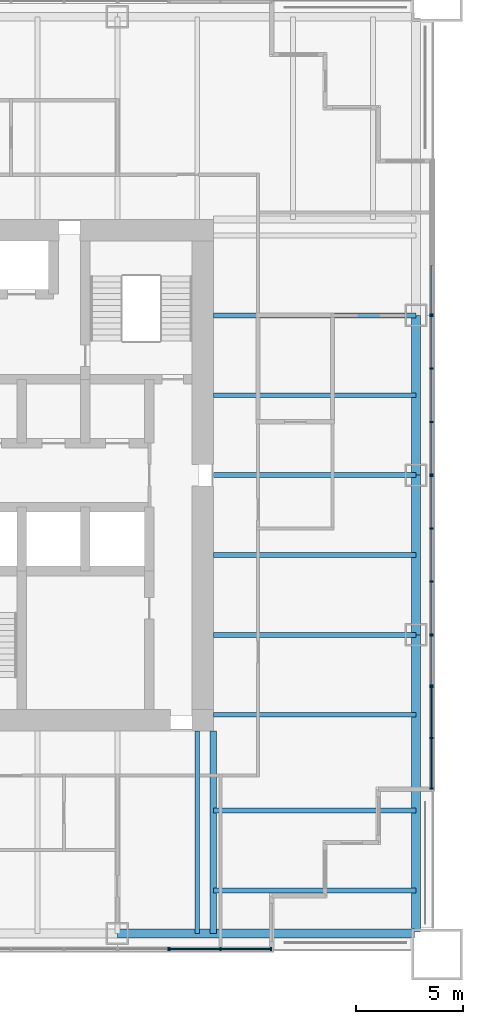
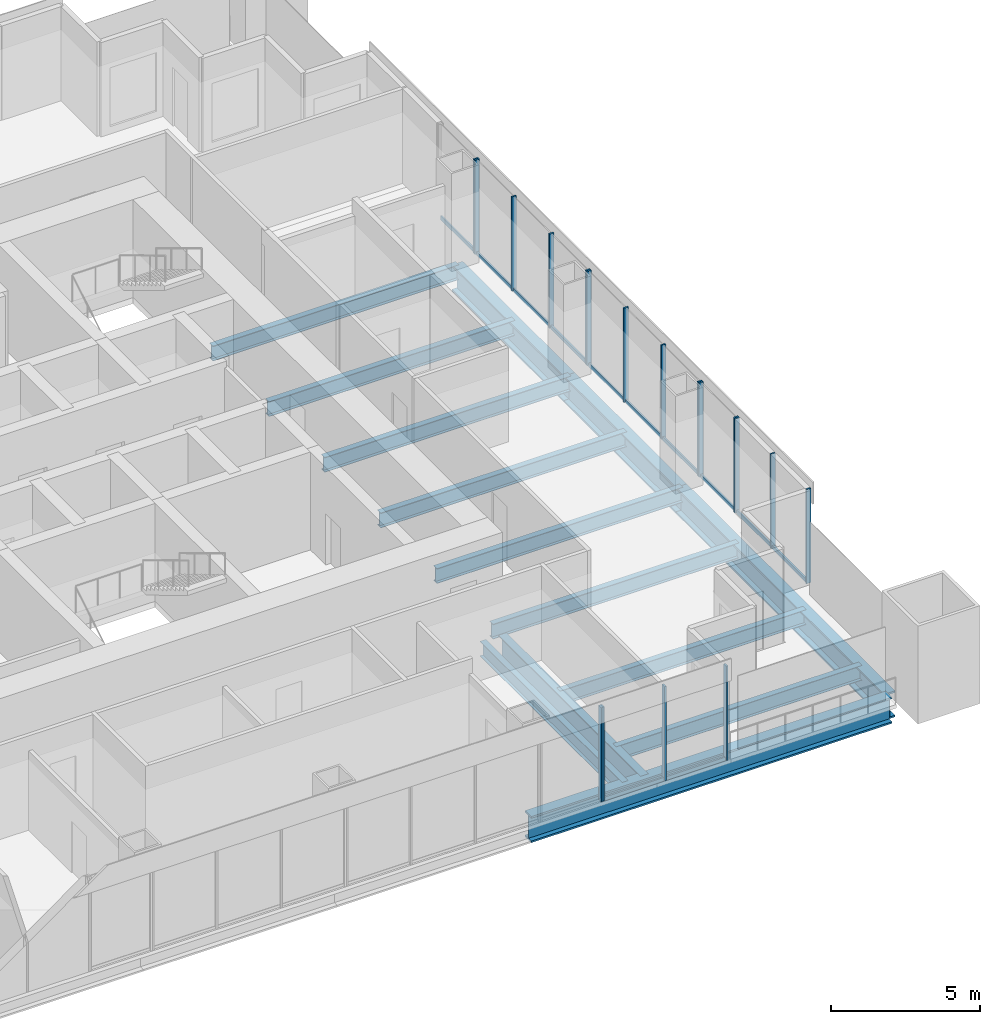
# One storey, part 4 of 13: 30 members, 14 beams, 7 elements without a shape of their own.
"""IFC4 building model written with IfcOpenShell, lengths in metres."""

from ifc_helpers import new_model, si_unit, direction, frame, origin, origin_2d, place, context, subcontext, project, spatial, rectangle, i_section, extrude, material, material_profile, profile_set, type_object, element, aggregate, save


model = new_model("IFC4")

# Units and contexts
model_context = context("Model", 3, precision=1e-05, world=origin(), true_north=direction((0.0, 1.0)))
body_context = subcontext(model_context, "Body", "Model", "MODEL_VIEW")
ifc_project = project(units=[si_unit("LENGTHUNIT", "METRE"), si_unit("AREAUNIT", "SQUARE_METRE"), si_unit("VOLUMEUNIT", "CUBIC_METRE"), si_unit("PLANEANGLEUNIT", "RADIAN"), si_unit("MASSUNIT", "GRAM", prefix="KILO")], contexts=[model_context])

# Site, building, storey
site_placement = place(None, origin())
site = spatial("IfcSite", under=ifc_project, at=site_placement, CompositionType="ELEMENT")
building_placement = place(site_placement, origin())
building = spatial("IfcBuilding", under=site, at=building_placement, Name="Tarangal Relay Tower", CompositionType="ELEMENT")
storey_placement = place(building_placement, frame((0.0, 0.0, 205.89990234375)))
storey = spatial("IfcBuildingStorey", under=building, at=storey_placement, Name="L43", CompositionType="ELEMENT", Elevation=205.89990234375)

# Beams
ifc_material_1 = material(Name="Steel ASTM A992", Category="steel")
ifc_material_profile_1 = material_profile(ifc_material_1, i_section(OverallWidth=0.227783203125, OverallDepth=0.60205078125, WebThickness=0.010498046875, FlangeThickness=0.014892578125, at=origin_2d()), Name="W24X68")
ifc_profile_set_1 = profile_set([ifc_material_profile_1], Name="Steel ASTM A992")
beam_type_1 = type_object("IfcBeamType", Name="Corner beam W24X68", PredefinedType="JOIST", material=ifc_profile_set_1)
for number, where, z_axis, x_axis, name in (
    (1, (12.0, -15.75, -0.450927734375), (1.0, 0.0, 0.0), (0.0, 1.0, 0.0), "Corner beam CB11 E L43"),
    (2, (12.0, -19.5, -0.450927734375), (1.0, 0.0, 0.0), (0.0, 1.0, 0.0), "Corner beam CB11 E L43"),
):
    element("IfcBeam", number, at=place(storey_placement, frame(where, z_axis=z_axis, x_axis=x_axis)), inside=storey, type_object=beam_type_1, Name=name, PredefinedType="JOIST", context=body_context, shape_type="SweptSolid", body=[
        extrude(i_section(OverallWidth=0.227783203125, OverallDepth=0.60205078125, WebThickness=0.010498046875, FlangeThickness=0.014892578125, at=origin_2d()), origin(), (0.0, 0.0, 1.0), 9.514892578125),
    ])
ifc_material_profile_2 = material_profile(ifc_material_1, i_section(OverallWidth=0.307373046875, OverallDepth=0.9423828125, WebThickness=0.022216796875, FlangeThickness=0.039794921875, at=origin_2d()), Name="W36X232")
ifc_profile_set_2 = profile_set([ifc_material_profile_2], Name="Steel ASTM A992")
beam_type_2 = type_object("IfcBeamType", Name="Corner girder W36X232", PredefinedType="BEAM", material=ifc_profile_set_2)
beam_placement = place(storey_placement, frame((12.0, -12.0, -0.62109375), z_axis=(0.0, -1.0, 0.0), x_axis=(1.0, 0.0, 0.0)))
element("IfcBeam", 3, at=beam_placement, inside=storey, type_object=beam_type_2, Name="Corner girder CG4 E L43", PredefinedType="BEAM", context=body_context, shape_type="SweptSolid", body=[
    extrude(i_section(OverallWidth=0.307373046875, OverallDepth=0.9423828125, WebThickness=0.022216796875, FlangeThickness=0.039794921875, at=origin_2d()), origin(), (0.0, 0.0, 1.0), 9.514892578125),
])
ifc_material_profile_3 = material_profile(ifc_material_1, i_section(OverallWidth=0.41650390625, OverallDepth=1.0693359375, WebThickness=0.0390625, FlangeThickness=0.070068359375, at=origin_2d()), Name="W40X503")
ifc_profile_set_3 = profile_set([ifc_material_profile_3], Name="Steel ASTM A992")
beam_type_3 = type_object("IfcBeamType", Name="Edge girder W40X503", PredefinedType="SPANDREL", material=ifc_profile_set_3)
for number, where, z_axis, x_axis, name in (
    (4, (21.514892578125, 7.5, -0.6845703125), (0.0, -1.0, 0.0), (1.0, 0.0, 0.0), "Edge girder EG8 E L43"),
    (5, (21.514892578125, 0.0, -0.6845703125), (0.0, -1.0, 0.0), (1.0, 0.0, 0.0), "Edge girder EG8 E L43"),
):
    element("IfcBeam", number, at=place(storey_placement, frame(where, z_axis=z_axis, x_axis=x_axis)), inside=storey, type_object=beam_type_3, Name=name, PredefinedType="SPANDREL", context=body_context, shape_type="SweptSolid", body=[
        extrude(i_section(OverallWidth=0.41650390625, OverallDepth=1.0693359375, WebThickness=0.0390625, FlangeThickness=0.070068359375, at=origin_2d()), origin(), (0.0, 0.0, 1.0), 7.5),
    ])
for number, where, z_axis, x_axis, name in (
    (6, (21.514892578125, -7.5, -0.6845703125), (0.0, -1.0, 0.0), (1.0, 0.0, 0.0), "Edge girder EG8 E L43"),
    (7, (21.449951171875, -21.514892578125, -0.6845703125), (-1.0, 0.0, 0.0), (0.0, -1.0, 0.0), "Edge girder EG8 S L43"),
):
    element("IfcBeam", number, at=place(storey_placement, frame(where, z_axis=z_axis, x_axis=x_axis)), inside=storey, type_object=beam_type_3, Name=name, PredefinedType="SPANDREL", context=body_context, shape_type="SweptSolid", body=[
        extrude(i_section(OverallWidth=0.41650390625, OverallDepth=1.0693359375, WebThickness=0.0390625, FlangeThickness=0.070068359375, at=origin_2d()), origin(), (0.0, 0.0, 1.0), 13.949951171875),
    ])
ifc_material_profile_4 = material_profile(ifc_material_1, i_section(OverallWidth=0.22900390625, OverallDepth=0.612060546875, WebThickness=0.011962890625, FlangeThickness=0.01953125, at=origin_2d()), Name="W24X84")
ifc_profile_set_4 = profile_set([ifc_material_profile_4], Name="Steel ASTM A992")
beam_type_4 = type_object("IfcBeamType", Name="Floor beam W24X84", PredefinedType="BEAM", material=ifc_profile_set_4)
for number, where, z_axis, x_axis, name in (
    (8, (12.0, 7.5, -0.455810546875), (1.0, 0.0, 0.0), (0.0, 1.0, 0.0), "Floor beam RB12 E L43"),
    (9, (12.0, 3.75, -0.455810546875), (1.0, 0.0, 0.0), (0.0, 1.0, 0.0), "Floor beam RB12 E L43"),
    (10, (12.0, 0.0, -0.455810546875), (1.0, 0.0, 0.0), (0.0, 1.0, 0.0), "Floor beam RB12 E L43"),
    (11, (12.0, -3.75, -0.455810546875), (1.0, 0.0, 0.0), (0.0, 1.0, 0.0), "Floor beam RB12 E L43"),
    (12, (12.0, -7.5, -0.455810546875), (1.0, 0.0, 0.0), (0.0, 1.0, 0.0), "Floor beam RB12 E L43"),
    (13, (12.0, -11.25, -0.455810546875), (1.0, 0.0, 0.0), (0.0, 1.0, 0.0), "Floor beam RB12 E L43"),
    (14, (11.25, -12.0, -0.455810546875), (0.0, -1.0, 0.0), (1.0, 0.0, 0.0), "Floor beam RB12 S L43"),
):
    element("IfcBeam", number, at=place(storey_placement, frame(where, z_axis=z_axis, x_axis=x_axis)), inside=storey, type_object=beam_type_4, Name=name, PredefinedType="BEAM", context=body_context, shape_type="SweptSolid", body=[
        extrude(i_section(OverallWidth=0.22900390625, OverallDepth=0.612060546875, WebThickness=0.011962890625, FlangeThickness=0.01953125, at=origin_2d()), origin(), (0.0, 0.0, 1.0), 9.514892578125),
    ])

# Curtain wall, member
ifc_material_2 = material(Name="Unitised curtain wall, dark glass and black aluminium", Category="aluminium")
curtain_wall_type_1 = type_object("IfcCurtainWallType", Name="Curtain wall CW-A", PredefinedType="USERDEFINED", material=ifc_material_2)
curtain_wall_1_placement = place(storey_placement, origin())
curtain_wall_1 = element("IfcCurtainWall", 15, at=curtain_wall_1_placement, inside=storey, type_object=curtain_wall_type_1, Name="Curtain wall CW-A E facade L43", ObjectType="UNITISED CURTAIN WALL", PredefinedType="USERDEFINED")
ifc_material_3 = material(Name="Black anodised aluminium mullion", Category="aluminium")
ifc_material_profile_5 = material_profile(ifc_material_3, rectangle(XDim=0.175048828125, YDim=0.06494140625, at=origin_2d()), Name="CW-AM 65X175")
ifc_profile_set_5 = profile_set([ifc_material_profile_5], Name="Black anodised aluminium mullion")
member_type_1 = type_object("IfcMemberType", Name="Mullion CW-A 65 x 175", PredefinedType="MULLION", material=ifc_profile_set_5)
member_1_placement = place(storey_placement, frame((22.25, 7.532470703125, 0.0), z_axis=(0.0, 0.0, 1.0), x_axis=(1.0, 0.0, 0.0)))
member_1 = element("IfcMember", 16, at=member_1_placement, type_object=member_type_1, Name="CW-A mullion 2", PredefinedType="MULLION", context=body_context, shape_type="SweptSolid", body=[
    extrude(rectangle(XDim=0.175048828125, YDim=0.06494140625, at=origin_2d()), origin(), (0.0, 0.0, 1.0), 3.85009765625),
])

# Curtain wall, members
curtain_wall_2_placement = place(storey_placement, origin())
curtain_wall_2 = element("IfcCurtainWall", 17, at=curtain_wall_2_placement, inside=storey, type_object=curtain_wall_type_1, Name="Curtain wall CW-A E facade L43", ObjectType="UNITISED CURTAIN WALL", PredefinedType="USERDEFINED")
member_2_placement = place(storey_placement, frame((22.25, 7.467529296875, 0.0), z_axis=(0.0, 0.0, 1.0), x_axis=(1.0, 0.0, 0.0)))
member_2 = element("IfcMember", 18, at=member_2_placement, type_object=member_type_1, Name="CW-A mullion 1", PredefinedType="MULLION", context=body_context, shape_type="SweptSolid", body=[
    extrude(rectangle(XDim=0.175048828125, YDim=0.06494140625, at=origin_2d()), origin(), (0.0, 0.0, 1.0), 3.85009765625),
])
member_3_placement = place(storey_placement, frame((22.25, 5.0, 0.0), z_axis=(0.0, 0.0, 1.0), x_axis=(1.0, 0.0, 0.0)))
member_3 = element("IfcMember", 19, at=member_3_placement, type_object=member_type_1, Name="CW-A mullion 2", PredefinedType="MULLION", context=body_context, shape_type="SweptSolid", body=[
    extrude(rectangle(XDim=0.175048828125, YDim=0.06494140625, at=origin_2d()), origin(), (0.0, 0.0, 1.0), 3.85009765625),
])
member_4_placement = place(storey_placement, frame((22.25, 2.5, 0.0), z_axis=(0.0, 0.0, 1.0), x_axis=(1.0, 0.0, 0.0)))
member_4 = element("IfcMember", 20, at=member_4_placement, type_object=member_type_1, Name="CW-A mullion 3", PredefinedType="MULLION", context=body_context, shape_type="SweptSolid", body=[
    extrude(rectangle(XDim=0.175048828125, YDim=0.06494140625, at=origin_2d()), origin(), (0.0, 0.0, 1.0), 3.85009765625),
])
member_5_placement = place(storey_placement, frame((22.25, 0.032470703125, 0.0), z_axis=(0.0, 0.0, 1.0), x_axis=(1.0, 0.0, 0.0)))
member_5 = element("IfcMember", 21, at=member_5_placement, type_object=member_type_1, Name="CW-A mullion 4", PredefinedType="MULLION", context=body_context, shape_type="SweptSolid", body=[
    extrude(rectangle(XDim=0.175048828125, YDim=0.06494140625, at=origin_2d()), origin(), (0.0, 0.0, 1.0), 3.85009765625),
])

curtain_wall_3_placement = place(storey_placement, origin())
curtain_wall_3 = element("IfcCurtainWall", 22, at=curtain_wall_3_placement, inside=storey, type_object=curtain_wall_type_1, Name="Curtain wall CW-A E facade L43", ObjectType="UNITISED CURTAIN WALL", PredefinedType="USERDEFINED")
member_6_placement = place(storey_placement, frame((22.25, -0.032470703125, 0.0), z_axis=(0.0, 0.0, 1.0), x_axis=(1.0, 0.0, 0.0)))
member_6 = element("IfcMember", 23, at=member_6_placement, type_object=member_type_1, Name="CW-A mullion 1", PredefinedType="MULLION", context=body_context, shape_type="SweptSolid", body=[
    extrude(rectangle(XDim=0.175048828125, YDim=0.06494140625, at=origin_2d()), origin(), (0.0, 0.0, 1.0), 3.85009765625),
])
member_7_placement = place(storey_placement, frame((22.25, -2.5, 0.0), z_axis=(0.0, 0.0, 1.0), x_axis=(1.0, 0.0, 0.0)))
member_7 = element("IfcMember", 24, at=member_7_placement, type_object=member_type_1, Name="CW-A mullion 2", PredefinedType="MULLION", context=body_context, shape_type="SweptSolid", body=[
    extrude(rectangle(XDim=0.175048828125, YDim=0.06494140625, at=origin_2d()), origin(), (0.0, 0.0, 1.0), 3.85009765625),
])
member_8_placement = place(storey_placement, frame((22.25, -5.0, 0.0), z_axis=(0.0, 0.0, 1.0), x_axis=(1.0, 0.0, 0.0)))
member_8 = element("IfcMember", 25, at=member_8_placement, type_object=member_type_1, Name="CW-A mullion 3", PredefinedType="MULLION", context=body_context, shape_type="SweptSolid", body=[
    extrude(rectangle(XDim=0.175048828125, YDim=0.06494140625, at=origin_2d()), origin(), (0.0, 0.0, 1.0), 3.85009765625),
])
member_9_placement = place(storey_placement, frame((22.25, -7.467529296875, 0.0), z_axis=(0.0, 0.0, 1.0), x_axis=(1.0, 0.0, 0.0)))
member_9 = element("IfcMember", 26, at=member_9_placement, type_object=member_type_1, Name="CW-A mullion 4", PredefinedType="MULLION", context=body_context, shape_type="SweptSolid", body=[
    extrude(rectangle(XDim=0.175048828125, YDim=0.06494140625, at=origin_2d()), origin(), (0.0, 0.0, 1.0), 3.85009765625),
])

curtain_wall_4_placement = place(storey_placement, origin())
curtain_wall_4 = element("IfcCurtainWall", 27, at=curtain_wall_4_placement, inside=storey, type_object=curtain_wall_type_1, Name="Curtain wall CW-A E facade L43", ObjectType="UNITISED CURTAIN WALL", PredefinedType="USERDEFINED")
member_10_placement = place(storey_placement, frame((22.25, -7.532470703125, 0.0), z_axis=(0.0, 0.0, 1.0), x_axis=(1.0, 0.0, 0.0)))
member_10 = element("IfcMember", 28, at=member_10_placement, type_object=member_type_1, Name="CW-A mullion 1", PredefinedType="MULLION", context=body_context, shape_type="SweptSolid", body=[
    extrude(rectangle(XDim=0.175048828125, YDim=0.06494140625, at=origin_2d()), origin(), (0.0, 0.0, 1.0), 3.85009765625),
])
member_11_placement = place(storey_placement, frame((22.25, -9.88427734375, 0.0), z_axis=(0.0, 0.0, 1.0), x_axis=(1.0, 0.0, 0.0)))
member_11 = element("IfcMember", 29, at=member_11_placement, type_object=member_type_1, Name="CW-A mullion 2", PredefinedType="MULLION", context=body_context, shape_type="SweptSolid", body=[
    extrude(rectangle(XDim=0.175048828125, YDim=0.06494140625, at=origin_2d()), origin(), (0.0, 0.0, 1.0), 3.85009765625),
])

# Curtain wall, member
curtain_wall_5_placement = place(storey_placement, origin())
curtain_wall_5 = element("IfcCurtainWall", 30, at=curtain_wall_5_placement, inside=storey, type_object=curtain_wall_type_1, Name="Curtain wall CW-A S facade L43", ObjectType="UNITISED CURTAIN WALL", PredefinedType="USERDEFINED")
member_12_placement = place(storey_placement, frame((9.88427734375, -22.25, 0.0), z_axis=(0.0, 0.0, 1.0), x_axis=(0.0, -1.0, 0.0)))
member_12 = element("IfcMember", 31, at=member_12_placement, type_object=member_type_1, Name="CW-A mullion 1", PredefinedType="MULLION", context=body_context, shape_type="SweptSolid", body=[
    extrude(rectangle(XDim=0.175048828125, YDim=0.06494140625, at=origin_2d()), origin(), (0.0, 0.0, 1.0), 3.85009765625),
])
aggregate(curtain_wall_5, [member_12])

# Curtain wall, members
ifc_material_4 = material(Name="Unitised curtain wall frame, black aluminium, with metal clad infill walls", Category="aluminium")
curtain_wall_type_2 = type_object("IfcCurtainWallType", Name="Curtain wall CW-AO", PredefinedType="USERDEFINED", material=ifc_material_4)
curtain_wall_6_placement = place(storey_placement, origin())
curtain_wall_6 = element("IfcCurtainWall", 32, at=curtain_wall_6_placement, inside=storey, type_object=curtain_wall_type_2, Name="Curtain wall CW-AO E facade L43", ObjectType="UNITISED CURTAIN WALL", PredefinedType="USERDEFINED")
ifc_material_profile_6 = material_profile(ifc_material_3, rectangle(XDim=0.175048828125, YDim=0.06494140625, at=origin_2d()), Name="CW-AOM 65X175")
ifc_profile_set_6 = profile_set([ifc_material_profile_6], Name="Black anodised aluminium mullion")
member_type_2 = type_object("IfcMemberType", Name="Mullion CW-AO 65 x 175", PredefinedType="MULLION", material=ifc_profile_set_6)
member_13_placement = place(storey_placement, frame((22.25, -9.94921875, 0.0), z_axis=(0.0, 0.0, 1.0), x_axis=(1.0, 0.0, 0.0)))
member_13 = element("IfcMember", 33, at=member_13_placement, type_object=member_type_2, Name="CW-AO mullion 1", PredefinedType="MULLION", context=body_context, shape_type="SweptSolid", body=[
    extrude(rectangle(XDim=0.175048828125, YDim=0.06494140625, at=origin_2d()), origin(), (0.0, 0.0, 1.0), 3.85009765625),
])
member_14_placement = place(storey_placement, frame((22.25, -12.333251953125, 0.0), z_axis=(0.0, 0.0, 1.0), x_axis=(1.0, 0.0, 0.0)))
member_14 = element("IfcMember", 34, at=member_14_placement, type_object=member_type_2, Name="CW-AO mullion 2", PredefinedType="MULLION", context=body_context, shape_type="SweptSolid", body=[
    extrude(rectangle(XDim=0.175048828125, YDim=0.06494140625, at=origin_2d()), origin(), (0.0, 0.0, 1.0), 3.85009765625),
])
member_15_placement = place(storey_placement, frame((22.25, -14.717529296875, 0.0), z_axis=(0.0, 0.0, 1.0), x_axis=(1.0, 0.0, 0.0)))
member_15 = element("IfcMember", 35, at=member_15_placement, type_object=member_type_2, Name="CW-AO mullion 3", PredefinedType="MULLION", context=body_context, shape_type="SweptSolid", body=[
    extrude(rectangle(XDim=0.175048828125, YDim=0.06494140625, at=origin_2d()), origin(), (0.0, 0.0, 1.0), 3.85009765625),
])

curtain_wall_7_placement = place(storey_placement, origin())
curtain_wall_7 = element("IfcCurtainWall", 36, at=curtain_wall_7_placement, inside=storey, type_object=curtain_wall_type_2, Name="Curtain wall CW-AO S facade L43", ObjectType="UNITISED CURTAIN WALL", PredefinedType="USERDEFINED")
member_16_placement = place(storey_placement, frame((14.717529296875, -22.25, 0.0), z_axis=(0.0, 0.0, 1.0), x_axis=(0.0, -1.0, 0.0)))
member_16 = element("IfcMember", 37, at=member_16_placement, type_object=member_type_2, Name="CW-AO mullion 1", PredefinedType="MULLION", context=body_context, shape_type="SweptSolid", body=[
    extrude(rectangle(XDim=0.175048828125, YDim=0.06494140625, at=origin_2d()), origin(), (0.0, 0.0, 1.0), 3.85009765625),
])
member_17_placement = place(storey_placement, frame((12.333251953125, -22.25, 0.0), z_axis=(0.0, 0.0, 1.0), x_axis=(0.0, -1.0, 0.0)))
member_17 = element("IfcMember", 38, at=member_17_placement, type_object=member_type_2, Name="CW-AO mullion 2", PredefinedType="MULLION", context=body_context, shape_type="SweptSolid", body=[
    extrude(rectangle(XDim=0.175048828125, YDim=0.06494140625, at=origin_2d()), origin(), (0.0, 0.0, 1.0), 3.85009765625),
])
member_18_placement = place(storey_placement, frame((9.94921875, -22.25, 0.0), z_axis=(0.0, 0.0, 1.0), x_axis=(0.0, -1.0, 0.0)))
member_18 = element("IfcMember", 39, at=member_18_placement, type_object=member_type_2, Name="CW-AO mullion 3", PredefinedType="MULLION", context=body_context, shape_type="SweptSolid", body=[
    extrude(rectangle(XDim=0.175048828125, YDim=0.06494140625, at=origin_2d()), origin(), (0.0, 0.0, 1.0), 3.85009765625),
])

# Member
ifc_material_5 = material(Name="Black anodised aluminium transom", Category="aluminium")
ifc_material_profile_7 = material_profile(ifc_material_5, rectangle(XDim=0.06494140625, YDim=0.14990234375, at=origin_2d()), Name="CW-AT 65X150")
ifc_profile_set_7 = profile_set([ifc_material_profile_7], Name="Black anodised aluminium transom")
member_type_3 = type_object("IfcMemberType", Name="Transom CW-A 65 x 150", PredefinedType="USERDEFINED", material=ifc_profile_set_7)
member_19_placement = place(storey_placement, frame((22.25, 9.851806640625, 0.03271484375), z_axis=(0.0, -1.0, 0.0), x_axis=(1.0, 0.0, 0.0)))
member_19 = element("IfcMember", 40, at=member_19_placement, type_object=member_type_3, Name="CW-A transom 1.1", ObjectType="TRANSOM", PredefinedType="USERDEFINED", context=body_context, shape_type="SweptSolid", body=[
    extrude(rectangle(XDim=0.06494140625, YDim=0.14990234375, at=origin_2d()), origin(), (0.0, 0.0, 1.0), 2.286865234375),
])

aggregate(curtain_wall_1, [member_1, member_19])

member_20_placement = place(storey_placement, frame((22.25, 7.43505859375, 0.03271484375), z_axis=(0.0, -1.0, 0.0), x_axis=(1.0, 0.0, 0.0)))
member_20 = element("IfcMember", 41, at=member_20_placement, type_object=member_type_3, Name="CW-A transom 1.1", ObjectType="TRANSOM", PredefinedType="USERDEFINED", context=body_context, shape_type="SweptSolid", body=[
    extrude(rectangle(XDim=0.06494140625, YDim=0.14990234375, at=origin_2d()), origin(), (0.0, 0.0, 1.0), 2.402587890625),
])

member_21_placement = place(storey_placement, frame((22.25, 4.967529296875, 0.03271484375), z_axis=(0.0, -1.0, 0.0), x_axis=(1.0, 0.0, 0.0)))
member_21 = element("IfcMember", 42, at=member_21_placement, type_object=member_type_3, Name="CW-A transom 2.1", ObjectType="TRANSOM", PredefinedType="USERDEFINED", context=body_context, shape_type="SweptSolid", body=[
    extrude(rectangle(XDim=0.06494140625, YDim=0.14990234375, at=origin_2d()), origin(), (0.0, 0.0, 1.0), 2.43505859375),
])

member_22_placement = place(storey_placement, frame((22.25, 2.467529296875, 0.03271484375), z_axis=(0.0, -1.0, 0.0), x_axis=(1.0, 0.0, 0.0)))
member_22 = element("IfcMember", 43, at=member_22_placement, type_object=member_type_3, Name="CW-A transom 3.1", ObjectType="TRANSOM", PredefinedType="USERDEFINED", context=body_context, shape_type="SweptSolid", body=[
    extrude(rectangle(XDim=0.06494140625, YDim=0.14990234375, at=origin_2d()), origin(), (0.0, 0.0, 1.0), 2.402587890625),
])

aggregate(curtain_wall_2, [member_2, member_3, member_4, member_5, member_20, member_21, member_22])

member_23_placement = place(storey_placement, frame((22.25, -0.06494140625, 0.03271484375), z_axis=(0.0, -1.0, 0.0), x_axis=(1.0, 0.0, 0.0)))
member_23 = element("IfcMember", 44, at=member_23_placement, type_object=member_type_3, Name="CW-A transom 1.1", ObjectType="TRANSOM", PredefinedType="USERDEFINED", context=body_context, shape_type="SweptSolid", body=[
    extrude(rectangle(XDim=0.06494140625, YDim=0.14990234375, at=origin_2d()), origin(), (0.0, 0.0, 1.0), 2.402587890625),
])

member_24_placement = place(storey_placement, frame((22.25, -2.532470703125, 0.03271484375), z_axis=(0.0, -1.0, 0.0), x_axis=(1.0, 0.0, 0.0)))
member_24 = element("IfcMember", 45, at=member_24_placement, type_object=member_type_3, Name="CW-A transom 2.1", ObjectType="TRANSOM", PredefinedType="USERDEFINED", context=body_context, shape_type="SweptSolid", body=[
    extrude(rectangle(XDim=0.06494140625, YDim=0.14990234375, at=origin_2d()), origin(), (0.0, 0.0, 1.0), 2.43505859375),
])

member_25_placement = place(storey_placement, frame((22.25, -5.032470703125, 0.03271484375), z_axis=(0.0, -1.0, 0.0), x_axis=(1.0, 0.0, 0.0)))
member_25 = element("IfcMember", 46, at=member_25_placement, type_object=member_type_3, Name="CW-A transom 3.1", ObjectType="TRANSOM", PredefinedType="USERDEFINED", context=body_context, shape_type="SweptSolid", body=[
    extrude(rectangle(XDim=0.06494140625, YDim=0.14990234375, at=origin_2d()), origin(), (0.0, 0.0, 1.0), 2.402587890625),
])

aggregate(curtain_wall_3, [member_6, member_7, member_8, member_9, member_23, member_24, member_25])

member_26_placement = place(storey_placement, frame((22.25, -7.56494140625, 0.03271484375), z_axis=(0.0, -1.0, 0.0), x_axis=(1.0, 0.0, 0.0)))
member_26 = element("IfcMember", 47, at=member_26_placement, type_object=member_type_3, Name="CW-A transom 1.1", ObjectType="TRANSOM", PredefinedType="USERDEFINED", context=body_context, shape_type="SweptSolid", body=[
    extrude(rectangle(XDim=0.06494140625, YDim=0.14990234375, at=origin_2d()), origin(), (0.0, 0.0, 1.0), 2.286865234375),
])

aggregate(curtain_wall_4, [member_10, member_11, member_26])

ifc_material_profile_8 = material_profile(ifc_material_5, rectangle(XDim=0.06494140625, YDim=0.14990234375, at=origin_2d()), Name="CW-AOT 65X150")
ifc_profile_set_8 = profile_set([ifc_material_profile_8], Name="Black anodised aluminium transom")
member_type_4 = type_object("IfcMemberType", Name="Transom CW-AO 65 x 150", PredefinedType="USERDEFINED", material=ifc_profile_set_8)
member_27_placement = place(storey_placement, frame((22.25, -9.981689453125, 0.03271484375), z_axis=(0.0, -1.0, 0.0), x_axis=(1.0, 0.0, 0.0)))
member_27 = element("IfcMember", 48, at=member_27_placement, type_object=member_type_4, Name="CW-AO transom 1.1", ObjectType="TRANSOM", PredefinedType="USERDEFINED", context=body_context, shape_type="SweptSolid", body=[
    extrude(rectangle(XDim=0.06494140625, YDim=0.14990234375, at=origin_2d()), origin(), (0.0, 0.0, 1.0), 2.319091796875),
])

member_28_placement = place(storey_placement, frame((22.25, -12.365966796875, 0.03271484375), z_axis=(0.0, -1.0, 0.0), x_axis=(1.0, 0.0, 0.0)))
member_28 = element("IfcMember", 49, at=member_28_placement, type_object=member_type_4, Name="CW-AO transom 2.1", ObjectType="TRANSOM", PredefinedType="USERDEFINED", context=body_context, shape_type="SweptSolid", body=[
    extrude(rectangle(XDim=0.06494140625, YDim=0.14990234375, at=origin_2d()), origin(), (0.0, 0.0, 1.0), 2.319091796875),
])

aggregate(curtain_wall_6, [member_13, member_14, member_15, member_27, member_28])

member_29_placement = place(storey_placement, frame((14.68505859375, -22.25, 0.03271484375), z_axis=(-1.0, 0.0, 0.0), x_axis=(0.0, -1.0, 0.0)))
member_29 = element("IfcMember", 50, at=member_29_placement, type_object=member_type_4, Name="CW-AO transom 1.1", ObjectType="TRANSOM", PredefinedType="USERDEFINED", context=body_context, shape_type="SweptSolid", body=[
    extrude(rectangle(XDim=0.06494140625, YDim=0.14990234375, at=origin_2d()), origin(), (0.0, 0.0, 1.0), 2.319091796875),
])

member_30_placement = place(storey_placement, frame((12.30078125, -22.25, 0.03271484375), z_axis=(-1.0, 0.0, 0.0), x_axis=(0.0, -1.0, 0.0)))
member_30 = element("IfcMember", 51, at=member_30_placement, type_object=member_type_4, Name="CW-AO transom 2.1", ObjectType="TRANSOM", PredefinedType="USERDEFINED", context=body_context, shape_type="SweptSolid", body=[
    extrude(rectangle(XDim=0.06494140625, YDim=0.14990234375, at=origin_2d()), origin(), (0.0, 0.0, 1.0), 2.319091796875),
])

aggregate(curtain_wall_7, [member_16, member_17, member_18, member_29, member_30])

save(model, "model.ifc")
